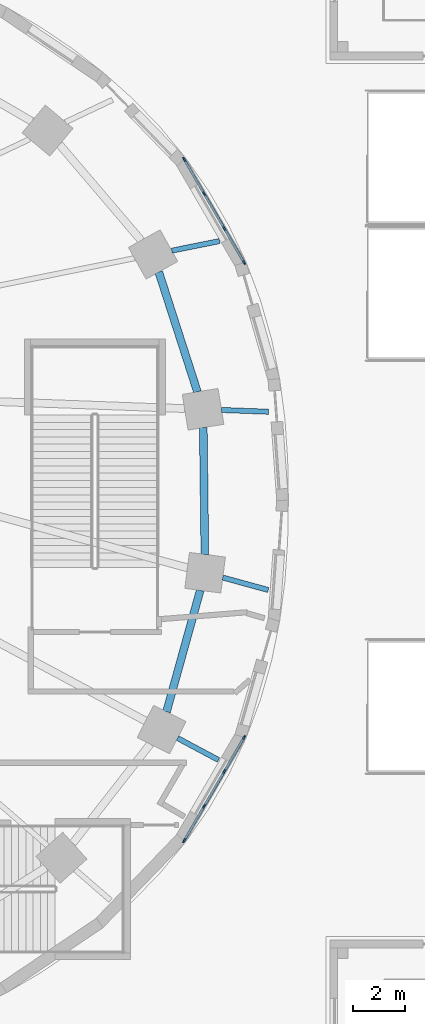
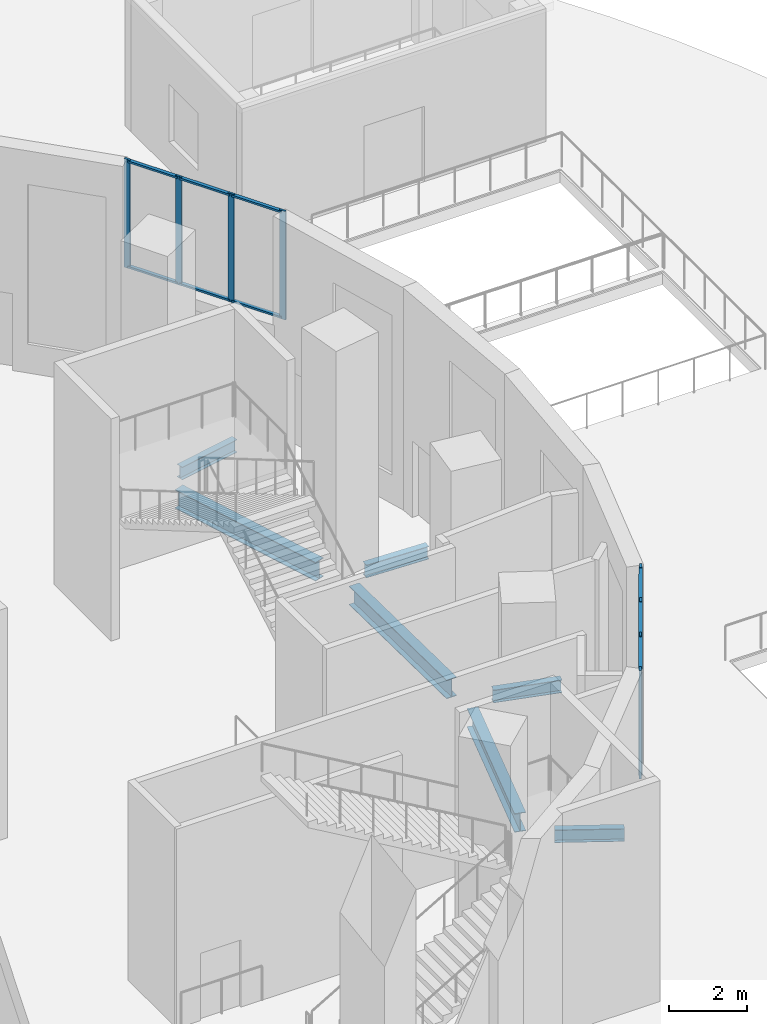
# One storey, part 7 of 27: 20 members, 7 beams, 2 elements without a shape of their own.
"""IFC4 building model written with IfcOpenShell, lengths in metres."""

from ifc_helpers import new_model, si_unit, direction, frame, origin, origin_2d, place, context, subcontext, project, spatial, rectangle, i_section, extrude, material, material_profile, profile_set, type_object, element, aggregate, save


model = new_model("IFC4")

# Units and contexts
model_context = context("Model", 3, precision=1e-05, world=origin(), true_north=direction((0.0, 1.0)))
body_context = subcontext(model_context, "Body", "Model", "MODEL_VIEW")
ifc_project = project(units=[si_unit("LENGTHUNIT", "METRE"), si_unit("AREAUNIT", "SQUARE_METRE"), si_unit("VOLUMEUNIT", "CUBIC_METRE"), si_unit("PLANEANGLEUNIT", "RADIAN"), si_unit("MASSUNIT", "GRAM", prefix="KILO")], contexts=[model_context])

# Site, building, storey
site_placement = place(None, origin())
site = spatial("IfcSite", under=ifc_project, at=site_placement, CompositionType="ELEMENT")
building_placement = place(site_placement, origin())
building = spatial("IfcBuilding", under=site, at=building_placement, Name="Rubra Terraces Tower", CompositionType="ELEMENT")
storey_placement = place(building_placement, origin())
storey = spatial("IfcBuildingStorey", under=building, at=storey_placement, Name="L00", CompositionType="ELEMENT", Elevation=0.0)

# Beams
ifc_material_1 = material(Name="Steel Q355B", Category="steel")
ifc_material_profile_1 = material_profile(ifc_material_1, i_section(OverallWidth=0.199951171875, OverallDepth=0.39990234375, WebThickness=0.008056640625, FlangeThickness=0.012939453125, at=origin_2d()), Name="HN 400x200x8x13")
ifc_profile_set_1 = profile_set([ifc_material_profile_1], Name="Steel Q355B")
beam_type_1 = type_object("IfcBeamType", Name="CANTILEVER BEAM HN 400x200x8x13", PredefinedType="BEAM", material=ifc_profile_set_1)
beam_1_placement = place(storey_placement, frame((27.319091796875, 3.47607421875, -0.550048828125), z_axis=(0.999296482656, -0.037503863151, 0.0), x_axis=(0.037503863151, 0.999296482656, 0.0)))
element("IfcBeam", 1, at=beam_1_placement, inside=storey, type_object=beam_type_1, Name="beam-L00-cant-01", PredefinedType="BEAM", context=body_context, shape_type="SweptSolid", body=[
    extrude(i_section(OverallWidth=0.199951171875, OverallDepth=0.39990234375, WebThickness=0.008056640625, FlangeThickness=0.012939453125, at=origin_2d()), origin(), (0.0, 0.0, 1.0), 1.816162109375),
])
beam_2_placement = place(storey_placement, frame((25.39599609375, 9.6279296875, -0.550048828125), z_axis=(0.980183746275, 0.198090442822, 0.0), x_axis=(-0.198090442822, 0.980183746275, 0.0)))
element("IfcBeam", 2, at=beam_2_placement, inside=storey, type_object=beam_type_1, Name="beam-L00-cant-02", PredefinedType="BEAM", context=body_context, shape_type="SweptSolid", body=[
    extrude(i_section(OverallWidth=0.199951171875, OverallDepth=0.39990234375, WebThickness=0.008056640625, FlangeThickness=0.012939453125, at=origin_2d()), origin(), (0.0, 0.0, 1.0), 1.878173828125),
])
beam_3_placement = place(storey_placement, frame((25.62109375, -9.196044921875, -0.550048828125), z_axis=(0.881903321084, -0.471430304776, 0.0), x_axis=(0.471430304776, 0.881903321084, 0.0)))
element("IfcBeam", 3, at=beam_3_placement, inside=storey, type_object=beam_type_1, Name="beam-L00-cant-23", PredefinedType="BEAM", context=body_context, shape_type="SweptSolid", body=[
    extrude(i_section(OverallWidth=0.199951171875, OverallDepth=0.39990234375, WebThickness=0.008056640625, FlangeThickness=0.012939453125, at=origin_2d()), origin(), (0.0, 0.0, 1.0), 1.790283203125),
])
beam_4_placement = place(storey_placement, frame((27.365966796875, -2.9951171875, -0.550048828125), z_axis=(0.964481687863, -0.264149718489, 0.0), x_axis=(0.264149718489, 0.964481687863, 0.0)))
element("IfcBeam", 4, at=beam_4_placement, inside=storey, type_object=beam_type_1, Name="beam-L00-cant-24", PredefinedType="BEAM", context=body_context, shape_type="SweptSolid", body=[
    extrude(i_section(OverallWidth=0.199951171875, OverallDepth=0.39990234375, WebThickness=0.008056640625, FlangeThickness=0.012939453125, at=origin_2d()), origin(), (0.0, 0.0, 1.0), 1.82080078125),
])

# Curtain wall, members
ifc_material_2 = material(Name="Aluminium and glass", Category="aluminium")
curtain_wall_type = type_object("IfcCurtainWallType", Name="Curtain wall Entrance screen glazing", PredefinedType="NOTDEFINED", material=ifc_material_2)
curtain_wall_1_placement = place(storey_placement, origin())
curtain_wall_1 = element("IfcCurtainWall", 5, at=curtain_wall_1_placement, inside=storey, type_object=curtain_wall_type, Name="L00 entrance screen bay 3", PredefinedType="NOTDEFINED")
ifc_material_3 = material(Name="Aluminium, anodised dark grey", Category="aluminium")
ifc_material_profile_2 = material_profile(ifc_material_3, rectangle(XDim=0.06005859375, YDim=0.179931640625, at=origin_2d()), Name="AL 60x180")
ifc_profile_set_2 = profile_set([ifc_material_profile_2], Name="Aluminium, anodised dark grey")
member_type_1 = type_object("IfcMemberType", Name="Entrance screen glazing mullion 60 x 180", PredefinedType="MULLION", material=ifc_profile_set_2)
member_1_placement = place(storey_placement, frame((28.18798828125, 9.17333984375, 3.550048828125), z_axis=(0.0, 0.0, 1.0), x_axis=(-0.864813011398, -0.502094070187, 0.0)))
member_1 = element("IfcMember", 6, at=member_1_placement, type_object=member_type_1, Name="CW5 mullion 1", PredefinedType="MULLION", context=body_context, shape_type="SweptSolid", body=[
    extrude(rectangle(XDim=0.06005859375, YDim=0.179931640625, at=origin_2d()), origin(), (0.0, 0.0, 1.0), 3.39990234375),
])
member_2_placement = place(storey_placement, frame((27.423828125, 10.48974609375, 3.550048828125), z_axis=(0.0, 0.0, 1.0), x_axis=(-0.864813011398, -0.502094070187, 0.0)))
member_2 = element("IfcMember", 7, at=member_2_placement, type_object=member_type_1, Name="CW5 mullion 2", PredefinedType="MULLION", context=body_context, shape_type="SweptSolid", body=[
    extrude(rectangle(XDim=0.06005859375, YDim=0.179931640625, at=origin_2d()), origin(), (0.0, 0.0, 1.0), 3.39990234375),
])
member_3_placement = place(storey_placement, frame((26.64453125, 11.83203125, 3.550048828125), z_axis=(0.0, 0.0, 1.0), x_axis=(-0.864813011398, -0.502094070187, 0.0)))
member_3 = element("IfcMember", 8, at=member_3_placement, type_object=member_type_1, Name="CW5 mullion 3", PredefinedType="MULLION", context=body_context, shape_type="SweptSolid", body=[
    extrude(rectangle(XDim=0.06005859375, YDim=0.179931640625, at=origin_2d()), origin(), (0.0, 0.0, 1.0), 3.39990234375),
])
member_4_placement = place(storey_placement, frame((25.880126953125, 13.1484375, 3.550048828125), z_axis=(0.0, 0.0, 1.0), x_axis=(-0.864813011398, -0.502094070187, 0.0)))
member_4 = element("IfcMember", 9, at=member_4_placement, type_object=member_type_1, Name="CW5 mullion 4", PredefinedType="MULLION", context=body_context, shape_type="SweptSolid", body=[
    extrude(rectangle(XDim=0.06005859375, YDim=0.179931640625, at=origin_2d()), origin(), (0.0, 0.0, 1.0), 3.39990234375),
])

curtain_wall_2_placement = place(storey_placement, origin())
curtain_wall_2 = element("IfcCurtainWall", 10, at=curtain_wall_2_placement, inside=storey, type_object=curtain_wall_type, Name="L00 entrance screen bay 38", PredefinedType="NOTDEFINED")
member_5_placement = place(storey_placement, frame((25.880126953125, -13.1484375, 3.550048828125), z_axis=(0.0, 0.0, 1.0), x_axis=(-0.864813011398, 0.502094070187, 0.0)))
member_5 = element("IfcMember", 11, at=member_5_placement, type_object=member_type_1, Name="CW5 mullion 1", PredefinedType="MULLION", context=body_context, shape_type="SweptSolid", body=[
    extrude(rectangle(XDim=0.06005859375, YDim=0.179931640625, at=origin_2d()), origin(), (0.0, 0.0, 1.0), 3.39990234375),
])
member_6_placement = place(storey_placement, frame((26.64453125, -11.83203125, 3.550048828125), z_axis=(0.0, 0.0, 1.0), x_axis=(-0.864813011398, 0.502094070187, 0.0)))
member_6 = element("IfcMember", 12, at=member_6_placement, type_object=member_type_1, Name="CW5 mullion 2", PredefinedType="MULLION", context=body_context, shape_type="SweptSolid", body=[
    extrude(rectangle(XDim=0.06005859375, YDim=0.179931640625, at=origin_2d()), origin(), (0.0, 0.0, 1.0), 3.39990234375),
])
member_7_placement = place(storey_placement, frame((27.423828125, -10.48974609375, 3.550048828125), z_axis=(0.0, 0.0, 1.0), x_axis=(-0.864813011398, 0.502094070187, 0.0)))
member_7 = element("IfcMember", 13, at=member_7_placement, type_object=member_type_1, Name="CW5 mullion 3", PredefinedType="MULLION", context=body_context, shape_type="SweptSolid", body=[
    extrude(rectangle(XDim=0.06005859375, YDim=0.179931640625, at=origin_2d()), origin(), (0.0, 0.0, 1.0), 3.39990234375),
])
member_8_placement = place(storey_placement, frame((28.18798828125, -9.17333984375, 3.550048828125), z_axis=(0.0, 0.0, 1.0), x_axis=(-0.864813011398, 0.502094070187, 0.0)))
member_8 = element("IfcMember", 14, at=member_8_placement, type_object=member_type_1, Name="CW5 mullion 4", PredefinedType="MULLION", context=body_context, shape_type="SweptSolid", body=[
    extrude(rectangle(XDim=0.06005859375, YDim=0.179931640625, at=origin_2d()), origin(), (0.0, 0.0, 1.0), 3.39990234375),
])

# Member
ifc_material_profile_3 = material_profile(ifc_material_3, rectangle(XDim=0.10009765625, YDim=0.06005859375, at=origin_2d()), Name="AL 100x60")
ifc_profile_set_3 = profile_set([ifc_material_profile_3], Name="Aluminium, anodised dark grey")
member_type_2 = type_object("IfcMemberType", Name="Entrance screen glazing transom 100 x 60", PredefinedType="USERDEFINED", material=ifc_profile_set_3)
member_9_placement = place(storey_placement, frame((28.173095703125, 9.19921875, 3.60009765625), z_axis=(-0.502240242375, 0.864728130073, 0.0), x_axis=(-0.864728130073, -0.502240242375, 0.0)))
member_9 = element("IfcMember", 15, at=member_9_placement, type_object=member_type_2, Name="CW5 transom 1.1", ObjectType="TRANSOM", PredefinedType="USERDEFINED", context=body_context, shape_type="SweptSolid", body=[
    extrude(rectangle(XDim=0.10009765625, YDim=0.06005859375, at=origin_2d()), origin(), (0.0, 0.0, 1.0), 1.462158203125),
])

member_10_placement = place(storey_placement, frame((28.173095703125, 9.19921875, 6.89990234375), z_axis=(-0.502240242375, 0.864728130073, 0.0), x_axis=(-0.864728130073, -0.502240242375, 0.0)))
member_10 = element("IfcMember", 16, at=member_10_placement, type_object=member_type_2, Name="CW5 transom 1.2", ObjectType="TRANSOM", PredefinedType="USERDEFINED", context=body_context, shape_type="SweptSolid", body=[
    extrude(rectangle(XDim=0.10009765625, YDim=0.06005859375, at=origin_2d()), origin(), (0.0, 0.0, 1.0), 1.462158203125),
])

member_11_placement = place(storey_placement, frame((27.40869140625, 10.515625, 3.60009765625), z_axis=(-0.502171043743, 0.864768317427, 0.0), x_axis=(-0.864768317427, -0.502171043743, 0.0)))
member_11 = element("IfcMember", 17, at=member_11_placement, type_object=member_type_2, Name="CW5 transom 2.1", ObjectType="TRANSOM", PredefinedType="USERDEFINED", context=body_context, shape_type="SweptSolid", body=[
    extrude(rectangle(XDim=0.10009765625, YDim=0.06005859375, at=origin_2d()), origin(), (0.0, 0.0, 1.0), 1.491943359375),
])

member_12_placement = place(storey_placement, frame((27.40869140625, 10.515625, 6.89990234375), z_axis=(-0.502171043743, 0.864768317427, 0.0), x_axis=(-0.864768317427, -0.502171043743, 0.0)))
member_12 = element("IfcMember", 18, at=member_12_placement, type_object=member_type_2, Name="CW5 transom 2.2", ObjectType="TRANSOM", PredefinedType="USERDEFINED", context=body_context, shape_type="SweptSolid", body=[
    extrude(rectangle(XDim=0.10009765625, YDim=0.06005859375, at=origin_2d()), origin(), (0.0, 0.0, 1.0), 1.491943359375),
])

member_13_placement = place(storey_placement, frame((26.62939453125, 11.85791015625, 3.60009765625), z_axis=(-0.502115375433, 0.864800641625, 0.0), x_axis=(-0.864800641625, -0.502115375433, 0.0)))
member_13 = element("IfcMember", 19, at=member_13_placement, type_object=member_type_2, Name="CW5 transom 3.1", ObjectType="TRANSOM", PredefinedType="USERDEFINED", context=body_context, shape_type="SweptSolid", body=[
    extrude(rectangle(XDim=0.10009765625, YDim=0.06005859375, at=origin_2d()), origin(), (0.0, 0.0, 1.0), 1.462158203125),
])

member_14_placement = place(storey_placement, frame((26.62939453125, 11.85791015625, 6.89990234375), z_axis=(-0.502115375433, 0.864800641625, 0.0), x_axis=(-0.864800641625, -0.502115375433, 0.0)))
member_14 = element("IfcMember", 20, at=member_14_placement, type_object=member_type_2, Name="CW5 transom 3.2", ObjectType="TRANSOM", PredefinedType="USERDEFINED", context=body_context, shape_type="SweptSolid", body=[
    extrude(rectangle(XDim=0.10009765625, YDim=0.06005859375, at=origin_2d()), origin(), (0.0, 0.0, 1.0), 1.462158203125),
])

aggregate(curtain_wall_1, [member_1, member_2, member_3, member_4, member_9, member_10, member_11, member_12, member_13, member_14])

member_15_placement = place(storey_placement, frame((25.895263671875, -13.122314453125, 3.60009765625), z_axis=(0.502115375433, 0.864800641625, 0.0), x_axis=(-0.864800641625, 0.502115375433, 0.0)))
member_15 = element("IfcMember", 21, at=member_15_placement, type_object=member_type_2, Name="CW5 transom 1.1", ObjectType="TRANSOM", PredefinedType="USERDEFINED", context=body_context, shape_type="SweptSolid", body=[
    extrude(rectangle(XDim=0.10009765625, YDim=0.06005859375, at=origin_2d()), origin(), (0.0, 0.0, 1.0), 1.462158203125),
])

member_16_placement = place(storey_placement, frame((25.895263671875, -13.122314453125, 6.89990234375), z_axis=(0.502115375433, 0.864800641625, 0.0), x_axis=(-0.864800641625, 0.502115375433, 0.0)))
member_16 = element("IfcMember", 22, at=member_16_placement, type_object=member_type_2, Name="CW5 transom 1.2", ObjectType="TRANSOM", PredefinedType="USERDEFINED", context=body_context, shape_type="SweptSolid", body=[
    extrude(rectangle(XDim=0.10009765625, YDim=0.06005859375, at=origin_2d()), origin(), (0.0, 0.0, 1.0), 1.462158203125),
])

member_17_placement = place(storey_placement, frame((26.659423828125, -11.805908203125, 3.60009765625), z_axis=(0.502171043743, 0.864768317427, 0.0), x_axis=(-0.864768317427, 0.502171043743, 0.0)))
member_17 = element("IfcMember", 23, at=member_17_placement, type_object=member_type_2, Name="CW5 transom 2.1", ObjectType="TRANSOM", PredefinedType="USERDEFINED", context=body_context, shape_type="SweptSolid", body=[
    extrude(rectangle(XDim=0.10009765625, YDim=0.06005859375, at=origin_2d()), origin(), (0.0, 0.0, 1.0), 1.491943359375),
])

member_18_placement = place(storey_placement, frame((26.659423828125, -11.805908203125, 6.89990234375), z_axis=(0.502171043743, 0.864768317427, 0.0), x_axis=(-0.864768317427, 0.502171043743, 0.0)))
member_18 = element("IfcMember", 24, at=member_18_placement, type_object=member_type_2, Name="CW5 transom 2.2", ObjectType="TRANSOM", PredefinedType="USERDEFINED", context=body_context, shape_type="SweptSolid", body=[
    extrude(rectangle(XDim=0.10009765625, YDim=0.06005859375, at=origin_2d()), origin(), (0.0, 0.0, 1.0), 1.491943359375),
])

member_19_placement = place(storey_placement, frame((27.438720703125, -10.463623046875, 3.60009765625), z_axis=(0.502240242375, 0.864728130073, 0.0), x_axis=(-0.864728130073, 0.502240242375, 0.0)))
member_19 = element("IfcMember", 25, at=member_19_placement, type_object=member_type_2, Name="CW5 transom 3.1", ObjectType="TRANSOM", PredefinedType="USERDEFINED", context=body_context, shape_type="SweptSolid", body=[
    extrude(rectangle(XDim=0.10009765625, YDim=0.06005859375, at=origin_2d()), origin(), (0.0, 0.0, 1.0), 1.462158203125),
])

member_20_placement = place(storey_placement, frame((27.438720703125, -10.463623046875, 6.89990234375), z_axis=(0.502240242375, 0.864728130073, 0.0), x_axis=(-0.864728130073, 0.502240242375, 0.0)))
member_20 = element("IfcMember", 26, at=member_20_placement, type_object=member_type_2, Name="CW5 transom 3.2", ObjectType="TRANSOM", PredefinedType="USERDEFINED", context=body_context, shape_type="SweptSolid", body=[
    extrude(rectangle(XDim=0.10009765625, YDim=0.06005859375, at=origin_2d()), origin(), (0.0, 0.0, 1.0), 1.462158203125),
])

aggregate(curtain_wall_2, [member_5, member_6, member_7, member_8, member_15, member_16, member_17, member_18, member_19, member_20])

# Beams
ifc_material_profile_4 = material_profile(ifc_material_1, i_section(OverallWidth=0.300048828125, OverallDepth=0.587890625, WebThickness=0.011962890625, FlangeThickness=0.02001953125, at=origin_2d()), Name="HM 588x300x12x20")
ifc_profile_set_4 = profile_set([ifc_material_profile_4], Name="Steel Q355B")
beam_type_2 = type_object("IfcBeamType", Name="SPANDREL BEAM HM 588x300x12x20", PredefinedType="SPANDREL", material=ifc_profile_set_4)
beam_5_placement = place(storey_placement, frame((26.387939453125, 4.177001953125, -0.64404296875), z_axis=(-0.30706880261, 0.951687317591, 0.0), x_axis=(-0.951687317591, -0.30706880261, 0.0)))
element("IfcBeam", 27, at=beam_5_placement, inside=storey, type_object=beam_type_2, Name="beam-L00-spandrel-01", PredefinedType="SPANDREL", context=body_context, shape_type="SweptSolid", body=[
    extrude(i_section(OverallWidth=0.300048828125, OverallDepth=0.587890625, WebThickness=0.011962890625, FlangeThickness=0.02001953125, at=origin_2d()), origin(), (0.0, 0.0, 1.0), 4.86181640625),
])
beam_6_placement = place(storey_placement, frame((25.194091796875, -8.177978515625, -0.64404296875), z_axis=(0.267364386726, 0.96359549849, 0.0), x_axis=(-0.96359549849, 0.267364386726, 0.0)))
element("IfcBeam", 28, at=beam_6_placement, inside=storey, type_object=beam_type_2, Name="beam-L00-spandrel-23", PredefinedType="SPANDREL", context=body_context, shape_type="SweptSolid", body=[
    extrude(i_section(OverallWidth=0.300048828125, OverallDepth=0.587890625, WebThickness=0.011962890625, FlangeThickness=0.02001953125, at=origin_2d()), origin(), (0.0, 0.0, 1.0), 4.8662109375),
])
beam_7_placement = place(storey_placement, frame((26.675048828125, -2.10107421875, -0.64404296875), z_axis=(-0.012465372298, 0.999922304228, 0.0), x_axis=(-0.999922304228, -0.012465372298, 0.0)))
element("IfcBeam", 29, at=beam_7_placement, inside=storey, type_object=beam_type_2, Name="beam-L00-spandrel-24", PredefinedType="SPANDREL", context=body_context, shape_type="SweptSolid", body=[
    extrude(i_section(OverallWidth=0.300048828125, OverallDepth=0.587890625, WebThickness=0.011962890625, FlangeThickness=0.02001953125, at=origin_2d()), origin(), (0.0, 0.0, 1.0), 4.896484375),
])

save(model, "model.ifc")
